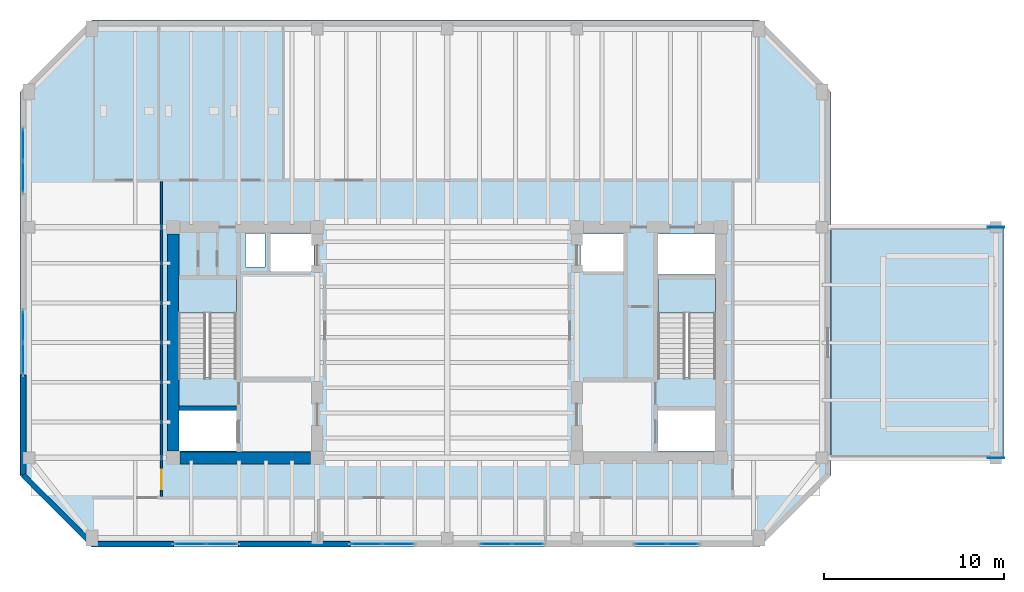
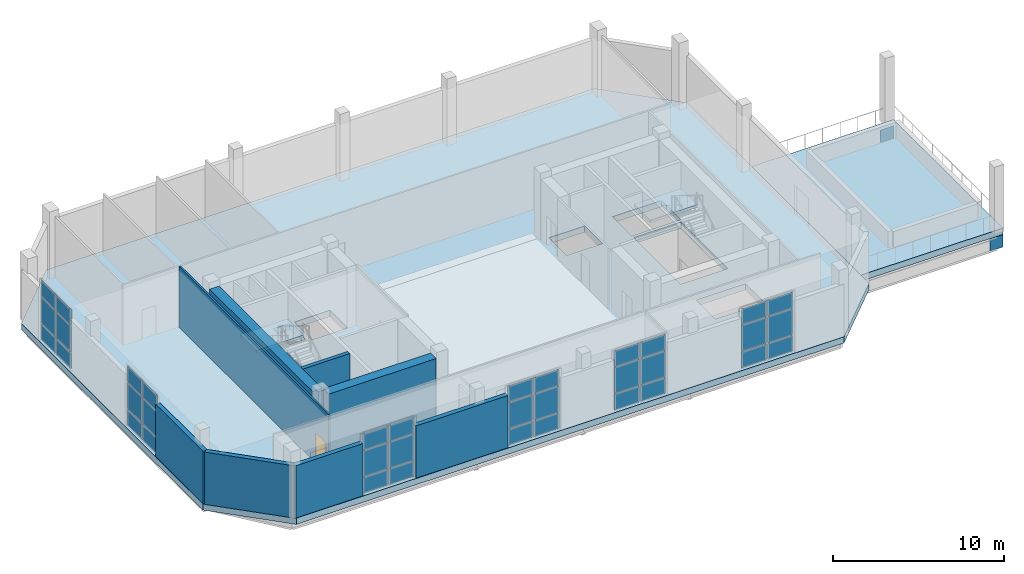
# One storey, part 5 of 11: 38 plates, 8 walls, 4 slabs, 1 door, 1 opening, 8 elements without a shape of their own.
"""IFC4 building model written with IfcOpenShell, lengths in metres."""

from ifc_helpers import new_model, si_unit, direction, frame, frame_2d, origin, origin_2d, place, context, subcontext, project, spatial, polyline, rectangle, outline, extrude, material, layer, layer_set, type_object, element, fill, aggregate, save


model = new_model("IFC4")

# Units and contexts
model_context = context("Model", 3, precision=1e-05, world=origin(), true_north=direction((0.0, 1.0)))
body_context = subcontext(model_context, "Body", "Model", "MODEL_VIEW")
ifc_project = project(units=[si_unit("LENGTHUNIT", "METRE"), si_unit("AREAUNIT", "SQUARE_METRE"), si_unit("VOLUMEUNIT", "CUBIC_METRE"), si_unit("PLANEANGLEUNIT", "RADIAN"), si_unit("MASSUNIT", "GRAM", prefix="KILO")], contexts=[model_context])

# Site, building, storey
site_placement = place(None, origin())
site = spatial("IfcSite", under=ifc_project, at=site_placement, CompositionType="ELEMENT")
building_placement = place(site_placement, origin())
building = spatial("IfcBuilding", under=site, at=building_placement, Name="Kranthara Brick Stack", CompositionType="ELEMENT")
storey_placement = place(building_placement, frame((0.0, 0.0, 287.39990234375)))
storey = spatial("IfcBuildingStorey", under=building, at=storey_placement, Name="L76", CompositionType="ELEMENT", Elevation=287.39990234375)

# Curtain wall, plates
ifc_material_1 = material(Name="Bronze anodised aluminium and low-E glass", Category="aluminium")
ifc_layer_1 = layer(ifc_material_1, 0.239990234375)
ifc_layer_set_1 = layer_set([ifc_layer_1], Name="Bronze anodised aluminium and low-E glass")
curtain_wall_type = type_object("IfcCurtainWallType", Name="CW-SYS5-SKYPOOL", PredefinedType="USERDEFINED", material=ifc_layer_set_1)
curtain_wall_1_placement = place(storey_placement, origin())
curtain_wall_1 = element("IfcCurtainWall", 1, at=curtain_wall_1_placement, inside=storey, type_object=curtain_wall_type, Name="L76 Curtain Wall CW5-L76-01", ObjectType="UNITISED CURTAIN WALL", PredefinedType="USERDEFINED")
ifc_material_2 = material(Name="Triple-laminated acoustic low-E glass", Category="glass")
ifc_layer_2 = layer(ifc_material_2, 0.035888671875)
ifc_layer_set_2 = layer_set([ifc_layer_2], Name="Triple-laminated acoustic low-E glass")
plate_type_1 = type_object("IfcPlateType", Name="CWP-GLZ-36", PredefinedType="CURTAIN_PANEL", material=ifc_layer_set_2)
plate_1_placement = place(storey_placement, frame((41.068115234375, 16.02001953125, 0.080078125), z_axis=(0.0, 0.0, 1.0), x_axis=(-1.0, 0.0, 0.0)))
plate_1 = element("IfcPlate", 2, at=plate_1_placement, type_object=plate_type_1, Name="CW panel 1.1", PredefinedType="CURTAIN_PANEL", context=body_context, shape_type="SweptSolid", body=[
    extrude(rectangle(XDim=1.679931640625, YDim=0.035888671875, at=origin_2d()), origin(), (0.0, 0.0, 1.0), 1.097900390625),
])
plate_2_placement = place(storey_placement, frame((41.068115234375, 16.02001953125, 1.258056640625), z_axis=(0.0, 0.0, 1.0), x_axis=(-1.0, 0.0, 0.0)))
plate_2 = element("IfcPlate", 3, at=plate_2_placement, type_object=plate_type_1, Name="CW panel 1.2", PredefinedType="CURTAIN_PANEL", context=body_context, shape_type="SweptSolid", body=[
    extrude(rectangle(XDim=1.679931640625, YDim=0.035888671875, at=origin_2d()), origin(), (0.0, 0.0, 1.0), 1.833984375),
])
plate_3_placement = place(storey_placement, frame((41.068115234375, 16.02001953125, 3.17236328125), z_axis=(0.0, 0.0, 1.0), x_axis=(-1.0, 0.0, 0.0)))
plate_3 = element("IfcPlate", 4, at=plate_3_placement, type_object=plate_type_1, Name="CW panel 1.3", PredefinedType="CURTAIN_PANEL", context=body_context, shape_type="SweptSolid", body=[
    extrude(rectangle(XDim=1.679931640625, YDim=0.035888671875, at=origin_2d()), origin(), (0.0, 0.0, 1.0), 1.097900390625),
])
plate_4_placement = place(storey_placement, frame((39.30810546875, 16.02001953125, 0.080078125), z_axis=(0.0, 0.0, 1.0), x_axis=(-1.0, 0.0, 0.0)))
plate_4 = element("IfcPlate", 5, at=plate_4_placement, type_object=plate_type_1, Name="CW panel 2.1", PredefinedType="CURTAIN_PANEL", context=body_context, shape_type="SweptSolid", body=[
    extrude(rectangle(XDim=1.679931640625, YDim=0.035888671875, at=origin_2d()), origin(), (0.0, 0.0, 1.0), 1.097900390625),
])
plate_5_placement = place(storey_placement, frame((39.30810546875, 16.02001953125, 1.258056640625), z_axis=(0.0, 0.0, 1.0), x_axis=(-1.0, 0.0, 0.0)))
plate_5 = element("IfcPlate", 6, at=plate_5_placement, type_object=plate_type_1, Name="CW panel 2.2", PredefinedType="CURTAIN_PANEL", context=body_context, shape_type="SweptSolid", body=[
    extrude(rectangle(XDim=1.679931640625, YDim=0.035888671875, at=origin_2d()), origin(), (0.0, 0.0, 1.0), 1.833984375),
])
plate_6_placement = place(storey_placement, frame((39.30810546875, 16.02001953125, 3.17236328125), z_axis=(0.0, 0.0, 1.0), x_axis=(-1.0, 0.0, 0.0)))
plate_6 = element("IfcPlate", 7, at=plate_6_placement, type_object=plate_type_1, Name="CW panel 2.3", PredefinedType="CURTAIN_PANEL", context=body_context, shape_type="SweptSolid", body=[
    extrude(rectangle(XDim=1.679931640625, YDim=0.035888671875, at=origin_2d()), origin(), (0.0, 0.0, 1.0), 1.097900390625),
])
aggregate(curtain_wall_1, [plate_1, plate_2, plate_3, plate_4, plate_5, plate_6])

curtain_wall_2_placement = place(storey_placement, origin())
curtain_wall_2 = element("IfcCurtainWall", 8, at=curtain_wall_2_placement, inside=storey, type_object=curtain_wall_type, Name="L76 Curtain Wall CW5-L76-02", ObjectType="UNITISED CURTAIN WALL", PredefinedType="USERDEFINED")
plate_7_placement = place(storey_placement, frame((32.47998046875, 16.02001953125, 0.080078125), z_axis=(0.0, 0.0, 1.0), x_axis=(-1.0, 0.0, 0.0)))
plate_7 = element("IfcPlate", 9, at=plate_7_placement, type_object=plate_type_1, Name="CW panel 1.1", PredefinedType="CURTAIN_PANEL", context=body_context, shape_type="SweptSolid", body=[
    extrude(rectangle(XDim=1.679931640625, YDim=0.035888671875, at=origin_2d()), origin(), (0.0, 0.0, 1.0), 1.097900390625),
])
plate_8_placement = place(storey_placement, frame((32.47998046875, 16.02001953125, 1.258056640625), z_axis=(0.0, 0.0, 1.0), x_axis=(-1.0, 0.0, 0.0)))
plate_8 = element("IfcPlate", 10, at=plate_8_placement, type_object=plate_type_1, Name="CW panel 1.2", PredefinedType="CURTAIN_PANEL", context=body_context, shape_type="SweptSolid", body=[
    extrude(rectangle(XDim=1.679931640625, YDim=0.035888671875, at=origin_2d()), origin(), (0.0, 0.0, 1.0), 1.833984375),
])
plate_9_placement = place(storey_placement, frame((32.47998046875, 16.02001953125, 3.17236328125), z_axis=(0.0, 0.0, 1.0), x_axis=(-1.0, 0.0, 0.0)))
plate_9 = element("IfcPlate", 11, at=plate_9_placement, type_object=plate_type_1, Name="CW panel 1.3", PredefinedType="CURTAIN_PANEL", context=body_context, shape_type="SweptSolid", body=[
    extrude(rectangle(XDim=1.679931640625, YDim=0.035888671875, at=origin_2d()), origin(), (0.0, 0.0, 1.0), 1.097900390625),
])
plate_10_placement = place(storey_placement, frame((30.719970703125, 16.02001953125, 0.080078125), z_axis=(0.0, 0.0, 1.0), x_axis=(-1.0, 0.0, 0.0)))
plate_10 = element("IfcPlate", 12, at=plate_10_placement, type_object=plate_type_1, Name="CW panel 2.1", PredefinedType="CURTAIN_PANEL", context=body_context, shape_type="SweptSolid", body=[
    extrude(rectangle(XDim=1.679931640625, YDim=0.035888671875, at=origin_2d()), origin(), (0.0, 0.0, 1.0), 1.097900390625),
])
plate_11_placement = place(storey_placement, frame((30.719970703125, 16.02001953125, 1.258056640625), z_axis=(0.0, 0.0, 1.0), x_axis=(-1.0, 0.0, 0.0)))
plate_11 = element("IfcPlate", 13, at=plate_11_placement, type_object=plate_type_1, Name="CW panel 2.2", PredefinedType="CURTAIN_PANEL", context=body_context, shape_type="SweptSolid", body=[
    extrude(rectangle(XDim=1.679931640625, YDim=0.035888671875, at=origin_2d()), origin(), (0.0, 0.0, 1.0), 1.833984375),
])
plate_12_placement = place(storey_placement, frame((30.719970703125, 16.02001953125, 3.17236328125), z_axis=(0.0, 0.0, 1.0), x_axis=(-1.0, 0.0, 0.0)))
plate_12 = element("IfcPlate", 14, at=plate_12_placement, type_object=plate_type_1, Name="CW panel 2.3", PredefinedType="CURTAIN_PANEL", context=body_context, shape_type="SweptSolid", body=[
    extrude(rectangle(XDim=1.679931640625, YDim=0.035888671875, at=origin_2d()), origin(), (0.0, 0.0, 1.0), 1.097900390625),
])
aggregate(curtain_wall_2, [plate_7, plate_8, plate_9, plate_10, plate_11, plate_12])

curtain_wall_3_placement = place(storey_placement, origin())
curtain_wall_3 = element("IfcCurtainWall", 15, at=curtain_wall_3_placement, inside=storey, type_object=curtain_wall_type, Name="L76 Curtain Wall CW5-L76-03", ObjectType="UNITISED CURTAIN WALL", PredefinedType="USERDEFINED")
plate_13_placement = place(storey_placement, frame((25.280029296875, 16.02001953125, 0.080078125), z_axis=(0.0, 0.0, 1.0), x_axis=(-1.0, 0.0, 0.0)))
plate_13 = element("IfcPlate", 16, at=plate_13_placement, type_object=plate_type_1, Name="CW panel 1.1", PredefinedType="CURTAIN_PANEL", context=body_context, shape_type="SweptSolid", body=[
    extrude(rectangle(XDim=1.679931640625, YDim=0.035888671875, at=origin_2d()), origin(), (0.0, 0.0, 1.0), 1.097900390625),
])
plate_14_placement = place(storey_placement, frame((25.280029296875, 16.02001953125, 1.258056640625), z_axis=(0.0, 0.0, 1.0), x_axis=(-1.0, 0.0, 0.0)))
plate_14 = element("IfcPlate", 17, at=plate_14_placement, type_object=plate_type_1, Name="CW panel 1.2", PredefinedType="CURTAIN_PANEL", context=body_context, shape_type="SweptSolid", body=[
    extrude(rectangle(XDim=1.679931640625, YDim=0.035888671875, at=origin_2d()), origin(), (0.0, 0.0, 1.0), 1.833984375),
])
plate_15_placement = place(storey_placement, frame((25.280029296875, 16.02001953125, 3.17236328125), z_axis=(0.0, 0.0, 1.0), x_axis=(-1.0, 0.0, 0.0)))
plate_15 = element("IfcPlate", 18, at=plate_15_placement, type_object=plate_type_1, Name="CW panel 1.3", PredefinedType="CURTAIN_PANEL", context=body_context, shape_type="SweptSolid", body=[
    extrude(rectangle(XDim=1.679931640625, YDim=0.035888671875, at=origin_2d()), origin(), (0.0, 0.0, 1.0), 1.097900390625),
])
plate_16_placement = place(storey_placement, frame((23.52001953125, 16.02001953125, 0.080078125), z_axis=(0.0, 0.0, 1.0), x_axis=(-1.0, 0.0, 0.0)))
plate_16 = element("IfcPlate", 19, at=plate_16_placement, type_object=plate_type_1, Name="CW panel 2.1", PredefinedType="CURTAIN_PANEL", context=body_context, shape_type="SweptSolid", body=[
    extrude(rectangle(XDim=1.679931640625, YDim=0.035888671875, at=origin_2d()), origin(), (0.0, 0.0, 1.0), 1.097900390625),
])
plate_17_placement = place(storey_placement, frame((23.52001953125, 16.02001953125, 1.258056640625), z_axis=(0.0, 0.0, 1.0), x_axis=(-1.0, 0.0, 0.0)))
plate_17 = element("IfcPlate", 20, at=plate_17_placement, type_object=plate_type_1, Name="CW panel 2.2", PredefinedType="CURTAIN_PANEL", context=body_context, shape_type="SweptSolid", body=[
    extrude(rectangle(XDim=1.679931640625, YDim=0.035888671875, at=origin_2d()), origin(), (0.0, 0.0, 1.0), 1.833984375),
])
plate_18_placement = place(storey_placement, frame((23.52001953125, 16.02001953125, 3.17236328125), z_axis=(0.0, 0.0, 1.0), x_axis=(-1.0, 0.0, 0.0)))
plate_18 = element("IfcPlate", 21, at=plate_18_placement, type_object=plate_type_1, Name="CW panel 2.3", PredefinedType="CURTAIN_PANEL", context=body_context, shape_type="SweptSolid", body=[
    extrude(rectangle(XDim=1.679931640625, YDim=0.035888671875, at=origin_2d()), origin(), (0.0, 0.0, 1.0), 1.097900390625),
])
aggregate(curtain_wall_3, [plate_13, plate_14, plate_15, plate_16, plate_17, plate_18])

curtain_wall_4_placement = place(storey_placement, origin())
curtain_wall_4 = element("IfcCurtainWall", 22, at=curtain_wall_4_placement, inside=storey, type_object=curtain_wall_type, Name="L76 Curtain Wall CW5-L76-04", ObjectType="UNITISED CURTAIN WALL", PredefinedType="USERDEFINED")
plate_19_placement = place(storey_placement, frame((15.492919921875, 16.02001953125, 0.080078125), z_axis=(0.0, 0.0, 1.0), x_axis=(-1.0, 0.0, 0.0)))
plate_19 = element("IfcPlate", 23, at=plate_19_placement, type_object=plate_type_1, Name="CW panel 1.1", PredefinedType="CURTAIN_PANEL", context=body_context, shape_type="SweptSolid", body=[
    extrude(rectangle(XDim=1.679931640625, YDim=0.035888671875, at=origin_2d()), origin(), (0.0, 0.0, 1.0), 1.097900390625),
])
plate_20_placement = place(storey_placement, frame((15.492919921875, 16.02001953125, 1.258056640625), z_axis=(0.0, 0.0, 1.0), x_axis=(-1.0, 0.0, 0.0)))
plate_20 = element("IfcPlate", 24, at=plate_20_placement, type_object=plate_type_1, Name="CW panel 1.2", PredefinedType="CURTAIN_PANEL", context=body_context, shape_type="SweptSolid", body=[
    extrude(rectangle(XDim=1.679931640625, YDim=0.035888671875, at=origin_2d()), origin(), (0.0, 0.0, 1.0), 1.833984375),
])
plate_21_placement = place(storey_placement, frame((15.492919921875, 16.02001953125, 3.17236328125), z_axis=(0.0, 0.0, 1.0), x_axis=(-1.0, 0.0, 0.0)))
plate_21 = element("IfcPlate", 25, at=plate_21_placement, type_object=plate_type_1, Name="CW panel 1.3", PredefinedType="CURTAIN_PANEL", context=body_context, shape_type="SweptSolid", body=[
    extrude(rectangle(XDim=1.679931640625, YDim=0.035888671875, at=origin_2d()), origin(), (0.0, 0.0, 1.0), 1.097900390625),
])
plate_22_placement = place(storey_placement, frame((13.73291015625, 16.02001953125, 0.080078125), z_axis=(0.0, 0.0, 1.0), x_axis=(-1.0, 0.0, 0.0)))
plate_22 = element("IfcPlate", 26, at=plate_22_placement, type_object=plate_type_1, Name="CW panel 2.1", PredefinedType="CURTAIN_PANEL", context=body_context, shape_type="SweptSolid", body=[
    extrude(rectangle(XDim=1.679931640625, YDim=0.035888671875, at=origin_2d()), origin(), (0.0, 0.0, 1.0), 1.097900390625),
])
plate_23_placement = place(storey_placement, frame((13.73291015625, 16.02001953125, 1.258056640625), z_axis=(0.0, 0.0, 1.0), x_axis=(-1.0, 0.0, 0.0)))
plate_23 = element("IfcPlate", 27, at=plate_23_placement, type_object=plate_type_1, Name="CW panel 2.2", PredefinedType="CURTAIN_PANEL", context=body_context, shape_type="SweptSolid", body=[
    extrude(rectangle(XDim=1.679931640625, YDim=0.035888671875, at=origin_2d()), origin(), (0.0, 0.0, 1.0), 1.833984375),
])
plate_24_placement = place(storey_placement, frame((13.73291015625, 16.02001953125, 3.17236328125), z_axis=(0.0, 0.0, 1.0), x_axis=(-1.0, 0.0, 0.0)))
plate_24 = element("IfcPlate", 28, at=plate_24_placement, type_object=plate_type_1, Name="CW panel 2.3", PredefinedType="CURTAIN_PANEL", context=body_context, shape_type="SweptSolid", body=[
    extrude(rectangle(XDim=1.679931640625, YDim=0.035888671875, at=origin_2d()), origin(), (0.0, 0.0, 1.0), 1.097900390625),
])
aggregate(curtain_wall_4, [plate_19, plate_20, plate_21, plate_22, plate_23, plate_24])

curtain_wall_5_placement = place(storey_placement, origin())
curtain_wall_5 = element("IfcCurtainWall", 29, at=curtain_wall_5_placement, inside=storey, type_object=curtain_wall_type, Name="L76 Curtain Wall CW5-L76-05", ObjectType="UNITISED CURTAIN WALL", PredefinedType="USERDEFINED")
plate_25_placement = place(storey_placement, frame((4.469970703125, 26.320068359375, 0.080078125), z_axis=(0.0, 0.0, 1.0), x_axis=(0.0, 1.0, 0.0)))
plate_25 = element("IfcPlate", 30, at=plate_25_placement, type_object=plate_type_1, Name="CW panel 1.1", PredefinedType="CURTAIN_PANEL", context=body_context, shape_type="SweptSolid", body=[
    extrude(rectangle(XDim=1.679931640625, YDim=0.035888671875, at=origin_2d()), origin(), (0.0, 0.0, 1.0), 1.097900390625),
])
plate_26_placement = place(storey_placement, frame((4.469970703125, 26.320068359375, 1.258056640625), z_axis=(0.0, 0.0, 1.0), x_axis=(0.0, 1.0, 0.0)))
plate_26 = element("IfcPlate", 31, at=plate_26_placement, type_object=plate_type_1, Name="CW panel 1.2", PredefinedType="CURTAIN_PANEL", context=body_context, shape_type="SweptSolid", body=[
    extrude(rectangle(XDim=1.679931640625, YDim=0.035888671875, at=origin_2d()), origin(), (0.0, 0.0, 1.0), 1.833984375),
])
plate_27_placement = place(storey_placement, frame((4.469970703125, 26.320068359375, 3.17236328125), z_axis=(0.0, 0.0, 1.0), x_axis=(0.0, 1.0, 0.0)))
plate_27 = element("IfcPlate", 32, at=plate_27_placement, type_object=plate_type_1, Name="CW panel 1.3", PredefinedType="CURTAIN_PANEL", context=body_context, shape_type="SweptSolid", body=[
    extrude(rectangle(XDim=1.679931640625, YDim=0.035888671875, at=origin_2d()), origin(), (0.0, 0.0, 1.0), 1.097900390625),
])
plate_28_placement = place(storey_placement, frame((4.469970703125, 28.080078125, 0.080078125), z_axis=(0.0, 0.0, 1.0), x_axis=(0.0, 1.0, 0.0)))
plate_28 = element("IfcPlate", 33, at=plate_28_placement, type_object=plate_type_1, Name="CW panel 2.1", PredefinedType="CURTAIN_PANEL", context=body_context, shape_type="SweptSolid", body=[
    extrude(rectangle(XDim=1.679931640625, YDim=0.035888671875, at=origin_2d()), origin(), (0.0, 0.0, 1.0), 1.097900390625),
])
plate_29_placement = place(storey_placement, frame((4.469970703125, 28.080078125, 1.258056640625), z_axis=(0.0, 0.0, 1.0), x_axis=(0.0, 1.0, 0.0)))
plate_29 = element("IfcPlate", 34, at=plate_29_placement, type_object=plate_type_1, Name="CW panel 2.2", PredefinedType="CURTAIN_PANEL", context=body_context, shape_type="SweptSolid", body=[
    extrude(rectangle(XDim=1.679931640625, YDim=0.035888671875, at=origin_2d()), origin(), (0.0, 0.0, 1.0), 1.833984375),
])
plate_30_placement = place(storey_placement, frame((4.469970703125, 28.080078125, 3.17236328125), z_axis=(0.0, 0.0, 1.0), x_axis=(0.0, 1.0, 0.0)))
plate_30 = element("IfcPlate", 35, at=plate_30_placement, type_object=plate_type_1, Name="CW panel 2.3", PredefinedType="CURTAIN_PANEL", context=body_context, shape_type="SweptSolid", body=[
    extrude(rectangle(XDim=1.679931640625, YDim=0.035888671875, at=origin_2d()), origin(), (0.0, 0.0, 1.0), 1.097900390625),
])
aggregate(curtain_wall_5, [plate_25, plate_26, plate_27, plate_28, plate_29, plate_30])

curtain_wall_6_placement = place(storey_placement, origin())
curtain_wall_6 = element("IfcCurtainWall", 36, at=curtain_wall_6_placement, inside=storey, type_object=curtain_wall_type, Name="L76 Curtain Wall CW5-L76-06", ObjectType="UNITISED CURTAIN WALL", PredefinedType="USERDEFINED")
plate_31_placement = place(storey_placement, frame((4.469970703125, 36.4072265625, 0.080078125), z_axis=(0.0, 0.0, 1.0), x_axis=(0.0, 1.0, 0.0)))
plate_31 = element("IfcPlate", 37, at=plate_31_placement, type_object=plate_type_1, Name="CW panel 1.1", PredefinedType="CURTAIN_PANEL", context=body_context, shape_type="SweptSolid", body=[
    extrude(rectangle(XDim=1.680419921875, YDim=0.035888671875, at=origin_2d()), origin(), (0.0, 0.0, 1.0), 1.097900390625),
])
plate_32_placement = place(storey_placement, frame((4.469970703125, 36.4072265625, 1.258056640625), z_axis=(0.0, 0.0, 1.0), x_axis=(0.0, 1.0, 0.0)))
plate_32 = element("IfcPlate", 38, at=plate_32_placement, type_object=plate_type_1, Name="CW panel 1.2", PredefinedType="CURTAIN_PANEL", context=body_context, shape_type="SweptSolid", body=[
    extrude(rectangle(XDim=1.680419921875, YDim=0.035888671875, at=origin_2d()), origin(), (0.0, 0.0, 1.0), 1.833984375),
])
plate_33_placement = place(storey_placement, frame((4.469970703125, 36.4072265625, 3.17236328125), z_axis=(0.0, 0.0, 1.0), x_axis=(0.0, 1.0, 0.0)))
plate_33 = element("IfcPlate", 39, at=plate_33_placement, type_object=plate_type_1, Name="CW panel 1.3", PredefinedType="CURTAIN_PANEL", context=body_context, shape_type="SweptSolid", body=[
    extrude(rectangle(XDim=1.680419921875, YDim=0.035888671875, at=origin_2d()), origin(), (0.0, 0.0, 1.0), 1.097900390625),
])
plate_34_placement = place(storey_placement, frame((4.469970703125, 38.167724609375, 0.080078125), z_axis=(0.0, 0.0, 1.0), x_axis=(0.0, 1.0, 0.0)))
plate_34 = element("IfcPlate", 40, at=plate_34_placement, type_object=plate_type_1, Name="CW panel 2.1", PredefinedType="CURTAIN_PANEL", context=body_context, shape_type="SweptSolid", body=[
    extrude(rectangle(XDim=1.680419921875, YDim=0.035888671875, at=origin_2d()), origin(), (0.0, 0.0, 1.0), 1.097900390625),
])
plate_35_placement = place(storey_placement, frame((4.469970703125, 38.167724609375, 1.258056640625), z_axis=(0.0, 0.0, 1.0), x_axis=(0.0, 1.0, 0.0)))
plate_35 = element("IfcPlate", 41, at=plate_35_placement, type_object=plate_type_1, Name="CW panel 2.2", PredefinedType="CURTAIN_PANEL", context=body_context, shape_type="SweptSolid", body=[
    extrude(rectangle(XDim=1.680419921875, YDim=0.035888671875, at=origin_2d()), origin(), (0.0, 0.0, 1.0), 1.833984375),
])
plate_36_placement = place(storey_placement, frame((4.469970703125, 38.167724609375, 3.17236328125), z_axis=(0.0, 0.0, 1.0), x_axis=(0.0, 1.0, 0.0)))
plate_36 = element("IfcPlate", 42, at=plate_36_placement, type_object=plate_type_1, Name="CW panel 2.3", PredefinedType="CURTAIN_PANEL", context=body_context, shape_type="SweptSolid", body=[
    extrude(rectangle(XDim=1.680419921875, YDim=0.035888671875, at=origin_2d()), origin(), (0.0, 0.0, 1.0), 1.097900390625),
])
aggregate(curtain_wall_6, [plate_31, plate_32, plate_33, plate_34, plate_35, plate_36])

# Plates
ifc_material_3 = material(Name="Steel S355", Category="steel")
ifc_layer_3 = layer(ifc_material_3, 0.030029296875)
ifc_layer_set_3 = layer_set([ifc_layer_3], Name="Steel S355")
plate_type_2 = type_object("IfcPlateType", Name="PLT-GUSSET-30", PredefinedType="USERDEFINED", material=ifc_layer_set_3)
for number, where, z_axis, x_axis, name in (
    (43, (58.449951171875, 20.800048828125, -1.349853515625), (0.0, 0.0, 1.0), (1.0, 0.0, 0.0), "L76 Sky Pool Strut Node Gusset Plate 1"),
    (44, (58.449951171875, 33.60009765625, -1.349853515625), (0.0, 0.0, 1.0), (1.0, 0.0, 0.0), "L76 Sky Pool Strut Node Gusset Plate 2"),
):
    element("IfcPlate", number, at=place(storey_placement, frame(where, z_axis=z_axis, x_axis=x_axis)), inside=storey, type_object=plate_type_2, Name=name, ObjectType="GUSSET PLATE", PredefinedType="USERDEFINED", context=body_context, shape_type="SweptSolid", body=[
        extrude(rectangle(XDim=0.89990234375, YDim=0.030029296875, at=origin_2d()), origin(), (0.0, 0.0, 1.0), 0.89990234375),
    ])

# Stair, slab
ifc_material_4 = material(Name="Concrete C45/55", Category="concrete")
stair_type = type_object("IfcStairType", Name="ST-CORE-28R", PredefinedType="HALF_TURN_STAIR", material=ifc_material_4)
stair_1_placement = place(storey_placement, origin())
stair_1 = element("IfcStair", 45, at=stair_1_placement, inside=storey, type_object=stair_type, Name="L76 West Core Protected Exit Stair ST01", PredefinedType="HALF_TURN_STAIR")
ifc_material_5 = material(Name="Concrete C45/55", Category="concrete")
ifc_layer_4 = layer(ifc_material_5, 0.199951171875)
ifc_layer_set_4 = layer_set([ifc_layer_4], Name="Concrete C45/55")
slab_type_1 = type_object("IfcSlabType", Name="SLB-LANDING-200", PredefinedType="LANDING", material=ifc_layer_set_4)
slab_1_placement = place(storey_placement, frame((0.0, 0.0, 2.2001953125)))
slab_1 = element("IfcSlab", 46, at=slab_1_placement, type_object=slab_type_1, Name="ST01 landing 1", PredefinedType="LANDING", context=body_context, shape_type="SweptSolid", body=[
    extrude(outline(polyline([(16.300048828125, 28.840087890625), (16.300048828125, 30.75), (13.10009765625, 30.75), (13.10009765625, 28.840087890625), (16.300048828125, 28.840087890625)])), origin(), (0.0, 0.0, 1.0), 0.199951171875),
])
aggregate(stair_1, [slab_1])

stair_2_placement = place(storey_placement, origin())
stair_2 = element("IfcStair", 47, at=stair_2_placement, inside=storey, type_object=stair_type, Name="L76 East Core Protected Exit Stair ST02", PredefinedType="HALF_TURN_STAIR")
slab_2_placement = place(storey_placement, frame((0.0, 0.0, 2.2001953125)))
slab_2 = element("IfcSlab", 48, at=slab_2_placement, type_object=slab_type_1, Name="ST02 landing 1", PredefinedType="LANDING", context=body_context, shape_type="SweptSolid", body=[
    extrude(outline(polyline([(42.89990234375, 28.840087890625), (42.89990234375, 30.75), (39.699951171875, 30.75), (39.699951171875, 28.840087890625), (42.89990234375, 28.840087890625)])), origin(), (0.0, 0.0, 1.0), 0.199951171875),
])
aggregate(stair_2, [slab_2])

# Slabs
ifc_material_6 = material(Name="Post-tensioned concrete C50/60", Category="concrete")
ifc_layer_5 = layer(ifc_material_6, 0.449951171875)
ifc_layer_set_5 = layer_set([ifc_layer_5], Name="Post-tensioned concrete C50/60")
slab_type_2 = type_object("IfcSlabType", Name="SLB-POOL-450", PredefinedType="FLOOR", material=ifc_layer_set_5)
slab_3_placement = place(storey_placement, frame((0.0, 0.0, -0.449951171875)))
element("IfcSlab", 49, at=slab_3_placement, inside=storey, type_object=slab_type_2, Name="L76 Cantilevered Sky Pool Terrace Deck", PredefinedType="FLOOR", context=body_context, shape_type="SweptSolid", body=[
    extrude(outline(polyline([(49.300048828125, 20.800048828125), (58.89990234375, 20.800048828125), (58.89990234375, 33.60009765625), (49.300048828125, 33.60009765625), (49.300048828125, 20.800048828125)])), origin(), (0.0, 0.0, 1.0), 0.449951171875),
])
ifc_material_7 = material(Name="Post-tensioned concrete C50/60", Category="concrete")
ifc_layer_6 = layer(ifc_material_7, 0.449951171875)
ifc_layer_set_6 = layer_set([ifc_layer_6], Name="Post-tensioned concrete C50/60")
slab_type_3 = type_object("IfcSlabType", Name="SLB-TRANS-450", PredefinedType="FLOOR", material=ifc_layer_set_6)
slab_4_placement = place(storey_placement, frame((0.0, 0.0, -0.449951171875)))
element("IfcSlab", 50, at=slab_4_placement, inside=storey, type_object=slab_type_3, Name="L76 Structural Floor Plate", PredefinedType="FLOOR", context=body_context, shape_type="SweptSolid", body=[
    extrude(outline(polyline([(8.300048828125, 15.85009765625), (45.300048828125, 15.85009765625), (49.300048828125, 19.85009765625), (49.300048828125, 41.10009765625), (45.300048828125, 45.10009765625), (8.300048828125, 45.10009765625), (4.300048828125, 41.10009765625), (4.300048828125, 19.85009765625), (8.300048828125, 15.85009765625)]), holes=[polyline([(13.10009765625, 25.280029296875), (16.300048828125, 25.280029296875), (16.300048828125, 30.75), (13.10009765625, 30.75), (13.10009765625, 25.280029296875)]), polyline([(39.699951171875, 25.280029296875), (42.89990234375, 25.280029296875), (42.89990234375, 30.75), (39.699951171875, 30.75), (39.699951171875, 25.280029296875)]), polyline([(13.0, 21.179931640625), (16.320068359375, 21.179931640625), (16.320068359375, 23.419921875), (13.0, 23.419921875), (13.0, 21.179931640625)]), polyline([(39.679931640625, 21.179931640625), (43.0, 21.179931640625), (43.0, 23.419921875), (39.679931640625, 23.419921875), (39.679931640625, 21.179931640625)]), polyline([(39.679931640625, 30.97998046875), (43.0, 30.97998046875), (43.0, 33.219970703125), (39.679931640625, 33.219970703125), (39.679931640625, 30.97998046875)]), polyline([(18.199951171875, 31.14990234375), (20.60009765625, 31.14990234375), (20.60009765625, 33.219970703125), (18.199951171875, 33.219970703125), (18.199951171875, 31.14990234375)]), polyline([(35.39990234375, 31.14990234375), (37.800048828125, 31.14990234375), (37.800048828125, 33.219970703125), (35.39990234375, 33.219970703125), (35.39990234375, 31.14990234375)]), polyline([(16.800048828125, 31.39990234375), (17.89990234375, 31.39990234375), (17.89990234375, 33.25), (16.800048828125, 33.25), (16.800048828125, 31.39990234375)])]), origin(), (0.0, 0.0, 1.0), 0.449951171875),
])

# Walls
ifc_material_8 = material(Name="Precast concrete C45/55", Category="concrete")
ifc_layer_7 = layer(ifc_material_8, 0.300048828125)
ifc_layer_set_7 = layer_set([ifc_layer_7], Name="Precast concrete C45/55")
wall_type_1 = type_object("IfcWallType", Name="WL-BRK-CRWN-300", PredefinedType="STANDARD", material=ifc_layer_set_7)
wall_1_placement = place(storey_placement, frame((22.60009765625, 16.02001953125, 0.0), z_axis=(0.0, 0.0, 1.0), x_axis=(-1.0, 0.0, 0.0)))
element("IfcWall", 51, at=wall_1_placement, inside=storey, type_object=wall_type_1, Name="L76 Exterior Brick Facade Wall SOUTH 4", PredefinedType="STANDARD", context=body_context, shape_type="SweptSolid", body=[
    extrude(rectangle(XDim=6.18701171875, YDim=0.300048828125, at=frame_2d((3.093505859375, 0.0))), origin(), (0.0, 0.0, 1.0), 3.735107421875),
])
wall_2_placement = place(storey_placement, frame((12.81298828125, 16.02001953125, 0.0), z_axis=(0.0, 0.0, 1.0), x_axis=(-1.0, 0.0, 0.0)))
element("IfcWall", 52, at=wall_2_placement, inside=storey, type_object=wall_type_1, Name="L76 Exterior Brick Facade Wall SOUTH 5", PredefinedType="STANDARD", context=body_context, shape_type="SweptSolid", body=[
    extrude(rectangle(XDim=4.512939453125, YDim=0.300048828125, at=frame_2d((2.25634765625, 0.0))), origin(), (0.0, 0.0, 1.0), 3.735107421875),
])
wall_3_placement = place(storey_placement, frame((8.300048828125, 16.02001953125, 0.0), z_axis=(0.0, 0.0, 1.0), x_axis=(-0.707106781187, 0.707106781187, 0.0)))
element("IfcWall", 53, at=wall_3_placement, inside=storey, type_object=wall_type_1, Name="L76 Exterior Brick Facade Wall SW 1", PredefinedType="STANDARD", context=body_context, shape_type="SweptSolid", body=[
    extrude(rectangle(XDim=5.41650390625, YDim=0.300048828125, at=frame_2d((2.708251953125, 0.0))), origin(), (0.0, 0.0, 1.0), 3.735107421875),
])
wall_4_placement = place(storey_placement, frame((4.469970703125, 19.85009765625, 0.0), z_axis=(0.0, 0.0, 1.0), x_axis=(0.0, 1.0, 0.0)))
element("IfcWall", 54, at=wall_4_placement, inside=storey, type_object=wall_type_1, Name="L76 Exterior Brick Facade Wall WEST 1", PredefinedType="STANDARD", context=body_context, shape_type="SweptSolid", body=[
    extrude(rectangle(XDim=5.5498046875, YDim=0.300048828125, at=frame_2d((2.77490234375, 0.0))), origin(), (0.0, 0.0, 1.0), 3.735107421875),
])
ifc_material_9 = material(Name="Concrete C50/60", Category="concrete")
ifc_layer_8 = layer(ifc_material_9, 0.25)
ifc_layer_set_8 = layer_set([ifc_layer_8], Name="Concrete C50/60")
wall_type_2 = type_object("IfcWallType", Name="WL-CORE-250", PredefinedType="SHEAR", material=ifc_layer_set_8)
wall_5_placement = place(storey_placement, frame((13.135009765625, 23.570068359375, 0.0), z_axis=(0.0, 0.0, 1.0), x_axis=(1.0, 0.0, 0.0)))
element("IfcWall", 55, at=wall_5_placement, inside=storey, type_object=wall_type_2, Name="L76 West Stairwell Bearing Wall WFF", PredefinedType="SHEAR", context=body_context, shape_type="SweptSolid", body=[
    extrude(rectangle(XDim=3.175048828125, YDim=0.25, at=frame_2d((1.58740234375, 0.0))), origin(), (0.0, 0.0, 1.0), 4.35009765625),
])
ifc_material_10 = material(Name="Concrete C60/75", Category="concrete")
ifc_layer_9 = layer(ifc_material_10, 0.64990234375)
ifc_layer_set_9 = layer_set([ifc_layer_9], Name="Concrete C60/75")
wall_type_3 = type_object("IfcWallType", Name="WL-CORE-650", PredefinedType="SHEAR", material=ifc_layer_set_9)
wall_6_placement = place(storey_placement, frame((12.800048828125, 21.179931640625, 0.0), z_axis=(0.0, 0.0, 1.0), x_axis=(0.0, 1.0, 0.0)))
element("IfcWall", 56, at=wall_6_placement, inside=storey, type_object=wall_type_3, Name="L76 West Core Shear Wall West", PredefinedType="SHEAR", context=body_context, shape_type="SweptSolid", body=[
    extrude(rectangle(XDim=12.0400390625, YDim=0.64990234375, at=frame_2d((6.02001953125, 0.0))), origin(), (0.0, 0.0, 1.0), 4.35009765625),
])
wall_7_placement = place(storey_placement, frame((13.179931640625, 20.800048828125, 0.0), z_axis=(0.0, 0.0, 1.0), x_axis=(1.0, 0.0, 0.0)))
element("IfcWall", 57, at=wall_7_placement, inside=storey, type_object=wall_type_3, Name="L76 West Core Shear Wall South", PredefinedType="SHEAR", context=body_context, shape_type="SweptSolid", body=[
    extrude(rectangle(XDim=7.239990234375, YDim=0.64990234375, at=frame_2d((3.6201171875, 0.0))), origin(), (0.0, 0.0, 1.0), 4.35009765625),
])

# Wall, opening, door
ifc_material_11 = material(Name="Acoustic gypsum plasterboard partition", Category="other")
ifc_layer_10 = layer(ifc_material_11, 0.1201171875)
ifc_layer_set_10 = layer_set([ifc_layer_10], Name="Acoustic gypsum plasterboard partition")
wall_type_4 = type_object("IfcWallType", Name="WL-PART-120", PredefinedType="PARTITIONING", material=ifc_layer_set_10)
wall_8_placement = place(storey_placement, frame((12.14990234375, 18.6650390625, 0.0), z_axis=(0.0, 0.0, 1.0), x_axis=(0.0, 1.0, 0.0)))
wall_8 = element("IfcWall", 58, at=wall_8_placement, inside=storey, type_object=wall_type_4, Name="L76 Interior Partition 015", PredefinedType="PARTITIONING", context=body_context, shape_type="SweptSolid", body=[
    extrude(rectangle(XDim=17.469970703125, YDim=0.1201171875, at=frame_2d((8.73486328125, 0.0))), origin(), (0.0, 0.0, 1.0), 4.35009765625),
])
opening_placement = place(wall_8_placement, frame((0.385009765625, 0.0, 0.0)))
opening = element("IfcOpeningElement", 59, at=opening_placement, cuts=wall_8, Name="Opening D11", PredefinedType="OPENING", context=body_context, shape_type="SweptSolid", body=[
    extrude(rectangle(XDim=1.10009765625, YDim=2.14990234375, at=frame_2d((0.550048828125, 1.074951171875))), frame((0.0, 0.070068359375, 0.0), z_axis=(0.0, -1.0, 0.0), x_axis=(1.0, 0.0, 0.0)), (0.0, 0.0, 1.0), 0.14013671875),
])
ifc_material_12 = material(Name="Solid-core hardwood timber leaf in steel frame", Category="steel")
door_type = type_object("IfcDoorType", Name="DR-INT-1100", OperationType="NOTDEFINED", PredefinedType="DOOR", material=ifc_material_12)
door_placement = place(opening_placement, origin())
door = element("IfcDoor", 60, at=door_placement, inside=storey, type_object=door_type, Name="L76 West Concierge Door 13", OperationType="SINGLE_SWING_LEFT", OverallHeight=2.14990234375, OverallWidth=1.10009765625, PredefinedType="DOOR", context=body_context, shape_type="SweptSolid", body=[
    extrude(rectangle(XDim=1.10009765625, YDim=2.14990234375, at=frame_2d((0.550048828125, 1.074951171875))), frame((0.0, 0.02490234375, 0.0), z_axis=(0.0, -1.0, 0.0), x_axis=(1.0, 0.0, 0.0)), (0.0, 0.0, 1.0), 0.050048828125),
])
fill(opening, door)

save(model, "model.ifc")
